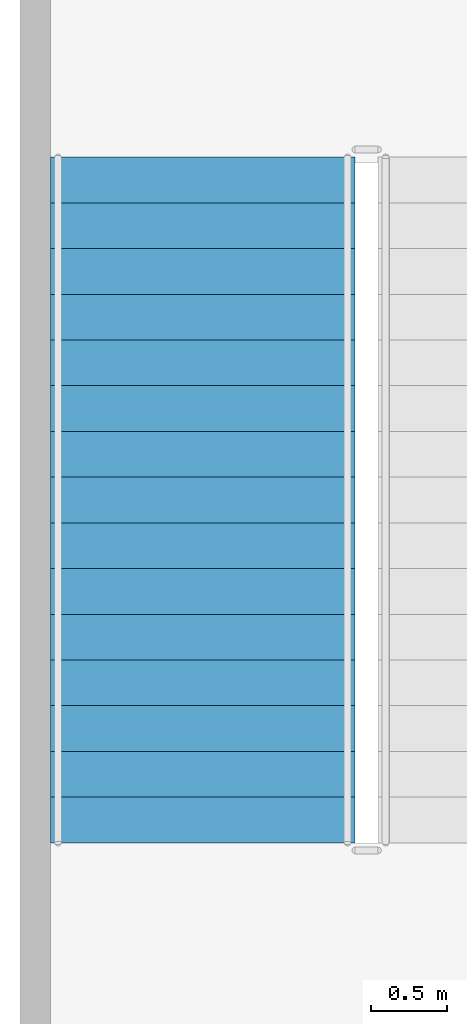
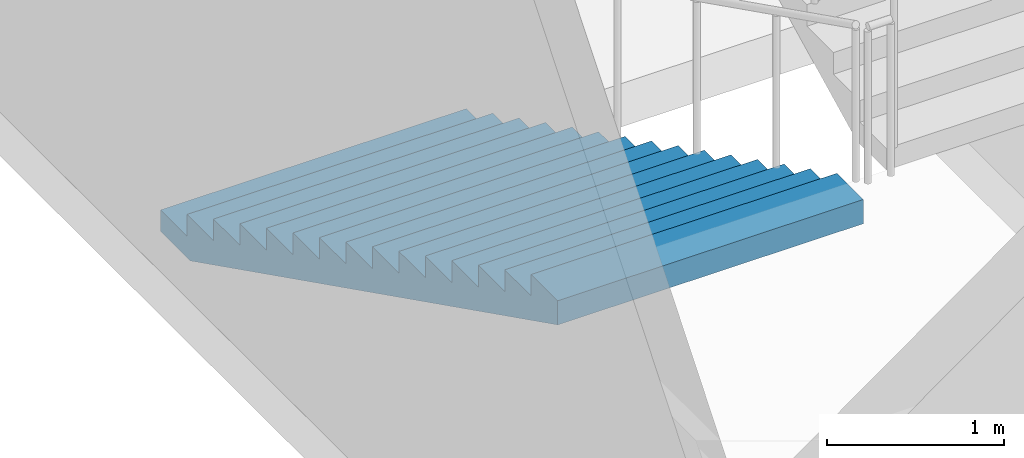
# One storey, part 78 of 100: 1 stair flight, 1 element without a shape of its own.
"""IFC4 building model written with IfcOpenShell, lengths in metres."""

from ifc_helpers import new_model, si_unit, direction, frame, origin, place, context, subcontext, project, spatial, faceted_brep, material, type_object, element, aggregate, save


model = new_model("IFC4")

# Units and contexts
model_context = context("Model", 3, precision=1e-05, world=origin(), true_north=direction((0.0, 1.0)))
body_context = subcontext(model_context, "Body", "Model", "MODEL_VIEW")
ifc_project = project(units=[si_unit("LENGTHUNIT", "METRE"), si_unit("AREAUNIT", "SQUARE_METRE"), si_unit("VOLUMEUNIT", "CUBIC_METRE"), si_unit("PLANEANGLEUNIT", "RADIAN"), si_unit("MASSUNIT", "GRAM", prefix="KILO")], contexts=[model_context])

# Site, building, storey
site_placement = place(None, origin())
site = spatial("IfcSite", under=ifc_project, at=site_placement, CompositionType="ELEMENT")
building_placement = place(site_placement, origin())
building = spatial("IfcBuilding", under=site, at=building_placement, Name="Kiln Court Media Centre", CompositionType="ELEMENT")
storey_placement = place(building_placement, frame((0.0, 0.0, 15.0)))
storey = spatial("IfcBuildingStorey", under=building, at=storey_placement, Name="L03", CompositionType="ELEMENT", Elevation=15.0)

# Stair, stair flight
ifc_material_1 = material(Name="Concrete C40/50", Category="concrete")
stair_type = type_object("IfcStairType", Name="Concrete C40/50 dog-leg stair 2000 wide, 150 riser", PredefinedType="HALF_TURN_STAIR", material=ifc_material_1)
stair_placement = place(storey_placement, origin())
stair = element("IfcStair", 1, at=stair_placement, inside=storey, type_object=stair_type, Name="ST-07 L03", PredefinedType="HALF_TURN_STAIR")
ifc_material_2 = material(Name="Concrete C40/50", Category="concrete")
stair_flight_type = type_object("IfcStairFlightType", Name="Concrete C40/50 stair flight 2000 wide, 150 riser, 300 going", PredefinedType="STRAIGHT", material=ifc_material_2)
stair_flight_placement = place(storey_placement, frame((1.199951171875, 64.39990234375, 0.0), z_axis=(0.0, 0.0, 1.0), x_axis=(0.0, -1.0, 0.0)))
stair_flight = element("IfcStairFlight", 2, at=stair_flight_placement, type_object=stair_flight_type, Name="L03-ST-5005 flight 5010", NumberOfRisers=16, NumberOfTreads=15, PredefinedType="STRAIGHT", RiserHeight=0.15, TreadLength=0.3, context=body_context, shape_type="Brep", body=[
    faceted_brep([(0.335205078125, -1.0, 0.0), (4.5, -1.0, 2.08251953125), (4.5, -1.0, 2.25), (4.199951171875, -1.0, 2.25), (4.199951171875, -1.0, 2.10009765625), (3.89990234375, -1.0, 2.10009765625), (3.89990234375, -1.0, 1.949951171875), (3.60009765625, -1.0, 1.949951171875), (3.60009765625, -1.0, 1.800048828125), (3.300048828125, -1.0, 1.800048828125), (3.300048828125, -1.0, 1.64990234375), (3.0, -1.0, 1.64990234375), (3.0, -1.0, 1.5), (2.699951171875, -1.0, 1.5), (2.699951171875, -1.0, 1.35009765625), (2.39990234375, -1.0, 1.35009765625), (2.39990234375, -1.0, 1.199951171875), (2.10009765625, -1.0, 1.199951171875), (2.10009765625, -1.0, 1.050048828125), (1.800048828125, -1.0, 1.050048828125), (1.800048828125, -1.0, 0.89990234375), (1.5, -1.0, 0.89990234375), (1.5, -1.0, 0.75), (1.199951171875, -1.0, 0.75), (1.199951171875, -1.0, 0.60009765625), (0.89990234375, -1.0, 0.60009765625), (0.89990234375, -1.0, 0.449951171875), (0.60009765625, -1.0, 0.449951171875), (0.60009765625, -1.0, 0.300048828125), (0.300048828125, -1.0, 0.300048828125), (0.300048828125, -1.0, 0.14990234375), (0.0, -1.0, 0.14990234375), (0.0, -1.0, 0.0), (0.0, 1.0, 0.0), (0.0, 1.0, 0.14990234375), (0.300048828125, 1.0, 0.14990234375), (0.300048828125, 1.0, 0.300048828125), (0.60009765625, 1.0, 0.300048828125), (0.60009765625, 1.0, 0.449951171875), (0.89990234375, 1.0, 0.449951171875), (0.89990234375, 1.0, 0.60009765625), (1.199951171875, 1.0, 0.60009765625), (1.199951171875, 1.0, 0.75), (1.5, 1.0, 0.75), (1.5, 1.0, 0.89990234375), (1.800048828125, 1.0, 0.89990234375), (1.800048828125, 1.0, 1.050048828125), (2.10009765625, 1.0, 1.050048828125), (2.10009765625, 1.0, 1.199951171875), (2.39990234375, 1.0, 1.199951171875), (2.39990234375, 1.0, 1.35009765625), (2.699951171875, 1.0, 1.35009765625), (2.699951171875, 1.0, 1.5), (3.0, 1.0, 1.5), (3.0, 1.0, 1.64990234375), (3.300048828125, 1.0, 1.64990234375), (3.300048828125, 1.0, 1.800048828125), (3.60009765625, 1.0, 1.800048828125), (3.60009765625, 1.0, 1.949951171875), (3.89990234375, 1.0, 1.949951171875), (3.89990234375, 1.0, 2.10009765625), (4.199951171875, 1.0, 2.10009765625), (4.199951171875, 1.0, 2.25), (4.5, 1.0, 2.25), (4.5, 1.0, 2.08251953125), (0.335205078125, 1.0, 0.0), (4.5, 0.10009765625, 2.08251953125), (0.335205078125, 0.10009765625, 0.0), (4.5, 0.080078125, 2.08251953125), (0.335205078125, 0.080078125, 0.0), (4.5, 0.06005859375, 2.08251953125), (0.335205078125, 0.06005859375, 0.0), (4.5, 0.0400390625, 2.08251953125), (0.335205078125, 0.0400390625, 0.0), (4.5, 0.02001953125, 2.08251953125), (0.335205078125, 0.02001953125, 0.0), (4.5, 0.0, 2.08251953125), (0.335205078125, 0.0, 0.0), (4.5, -0.02001953125, 2.08251953125), (0.335205078125, -0.02001953125, 0.0), (4.5, -0.0400390625, 2.08251953125), (0.335205078125, -0.0400390625, 0.0), (4.5, -0.06005859375, 2.08251953125), (0.335205078125, -0.06005859375, 0.0), (4.5, -0.080078125, 2.08251953125), (0.335205078125, -0.080078125, 0.0), (4.5, -0.10009765625, 2.08251953125), (0.335205078125, -0.10009765625, 0.0), (4.5, 0.10009765625, 2.25), (4.5, 0.080078125, 2.25), (4.5, 0.06005859375, 2.25), (4.5, 0.0400390625, 2.25), (4.5, 0.02001953125, 2.25), (4.5, 0.0, 2.25), (4.5, -0.02001953125, 2.25), (4.5, -0.0400390625, 2.25), (4.5, -0.06005859375, 2.25), (4.5, -0.080078125, 2.25), (4.5, -0.10009765625, 2.25), (4.199951171875, 0.10009765625, 2.25), (4.199951171875, 0.080078125, 2.25), (4.199951171875, 0.06005859375, 2.25), (4.199951171875, 0.0400390625, 2.25), (4.199951171875, 0.02001953125, 2.25), (4.199951171875, 0.0, 2.25), (4.199951171875, -0.02001953125, 2.25), (4.199951171875, -0.0400390625, 2.25), (4.199951171875, -0.06005859375, 2.25), (4.199951171875, -0.080078125, 2.25), (4.199951171875, -0.10009765625, 2.25), (4.199951171875, 0.10009765625, 2.10009765625), (4.199951171875, 0.080078125, 2.10009765625), (4.199951171875, 0.06005859375, 2.10009765625), (4.199951171875, 0.0400390625, 2.10009765625), (4.199951171875, 0.02001953125, 2.10009765625), (4.199951171875, 0.0, 2.10009765625), (4.199951171875, -0.02001953125, 2.10009765625), (4.199951171875, -0.0400390625, 2.10009765625), (4.199951171875, -0.06005859375, 2.10009765625), (4.199951171875, -0.080078125, 2.10009765625), (4.199951171875, -0.10009765625, 2.10009765625), (3.89990234375, 0.10009765625, 2.10009765625), (3.89990234375, 0.080078125, 2.10009765625), (3.89990234375, 0.06005859375, 2.10009765625), (3.89990234375, 0.0400390625, 2.10009765625), (3.89990234375, 0.02001953125, 2.10009765625), (3.89990234375, 0.0, 2.10009765625), (3.89990234375, -0.02001953125, 2.10009765625), (3.89990234375, -0.0400390625, 2.10009765625), (3.89990234375, -0.06005859375, 2.10009765625), (3.89990234375, -0.080078125, 2.10009765625), (3.89990234375, -0.10009765625, 2.10009765625), (3.89990234375, 0.10009765625, 1.949951171875), (3.89990234375, 0.080078125, 1.949951171875), (3.89990234375, 0.06005859375, 1.949951171875), (3.89990234375, 0.0400390625, 1.949951171875), (3.89990234375, 0.02001953125, 1.949951171875), (3.89990234375, 0.0, 1.949951171875), (3.89990234375, -0.02001953125, 1.949951171875), (3.89990234375, -0.0400390625, 1.949951171875), (3.89990234375, -0.06005859375, 1.949951171875), (3.89990234375, -0.080078125, 1.949951171875), (3.89990234375, -0.10009765625, 1.949951171875), (3.60009765625, 0.10009765625, 1.949951171875), (3.60009765625, 0.080078125, 1.949951171875), (3.60009765625, 0.06005859375, 1.949951171875), (3.60009765625, 0.0400390625, 1.949951171875), (3.60009765625, 0.02001953125, 1.949951171875), (3.60009765625, 0.0, 1.949951171875), (3.60009765625, -0.02001953125, 1.949951171875), (3.60009765625, -0.0400390625, 1.949951171875), (3.60009765625, -0.06005859375, 1.949951171875), (3.60009765625, -0.080078125, 1.949951171875), (3.60009765625, -0.10009765625, 1.949951171875), (3.60009765625, 0.10009765625, 1.800048828125), (3.60009765625, 0.080078125, 1.800048828125), (3.60009765625, 0.06005859375, 1.800048828125), (3.60009765625, 0.0400390625, 1.800048828125), (3.60009765625, 0.02001953125, 1.800048828125), (3.60009765625, 0.0, 1.800048828125), (3.60009765625, -0.02001953125, 1.800048828125), (3.60009765625, -0.0400390625, 1.800048828125), (3.60009765625, -0.06005859375, 1.800048828125), (3.60009765625, -0.080078125, 1.800048828125), (3.60009765625, -0.10009765625, 1.800048828125), (3.300048828125, 0.10009765625, 1.800048828125), (3.300048828125, 0.080078125, 1.800048828125), (3.300048828125, 0.06005859375, 1.800048828125), (3.300048828125, 0.0400390625, 1.800048828125), (3.300048828125, 0.02001953125, 1.800048828125), (3.300048828125, 0.0, 1.800048828125), (3.300048828125, -0.02001953125, 1.800048828125), (3.300048828125, -0.0400390625, 1.800048828125), (3.300048828125, -0.06005859375, 1.800048828125), (3.300048828125, -0.080078125, 1.800048828125), (3.300048828125, -0.10009765625, 1.800048828125), (3.300048828125, 0.10009765625, 1.64990234375), (3.300048828125, 0.080078125, 1.64990234375), (3.300048828125, 0.06005859375, 1.64990234375), (3.300048828125, 0.0400390625, 1.64990234375), (3.300048828125, 0.02001953125, 1.64990234375), (3.300048828125, 0.0, 1.64990234375), (3.300048828125, -0.02001953125, 1.64990234375), (3.300048828125, -0.0400390625, 1.64990234375), (3.300048828125, -0.06005859375, 1.64990234375), (3.300048828125, -0.080078125, 1.64990234375), (3.300048828125, -0.10009765625, 1.64990234375), (3.0, 0.10009765625, 1.64990234375), (3.0, 0.080078125, 1.64990234375), (3.0, 0.06005859375, 1.64990234375), (3.0, 0.0400390625, 1.64990234375), (3.0, 0.02001953125, 1.64990234375), (3.0, 0.0, 1.64990234375), (3.0, -0.02001953125, 1.64990234375), (3.0, -0.0400390625, 1.64990234375), (3.0, -0.06005859375, 1.64990234375), (3.0, -0.080078125, 1.64990234375), (3.0, -0.10009765625, 1.64990234375), (3.0, 0.10009765625, 1.5), (3.0, 0.080078125, 1.5), (3.0, 0.06005859375, 1.5), (3.0, 0.0400390625, 1.5), (3.0, 0.02001953125, 1.5), (3.0, 0.0, 1.5), (3.0, -0.02001953125, 1.5), (3.0, -0.0400390625, 1.5), (3.0, -0.06005859375, 1.5), (3.0, -0.080078125, 1.5), (3.0, -0.10009765625, 1.5), (2.699951171875, 0.10009765625, 1.5), (2.699951171875, 0.080078125, 1.5), (2.699951171875, 0.06005859375, 1.5), (2.699951171875, 0.0400390625, 1.5), (2.699951171875, 0.02001953125, 1.5), (2.699951171875, 0.0, 1.5), (2.699951171875, -0.02001953125, 1.5), (2.699951171875, -0.0400390625, 1.5), (2.699951171875, -0.06005859375, 1.5), (2.699951171875, -0.080078125, 1.5), (2.699951171875, -0.10009765625, 1.5), (2.699951171875, 0.10009765625, 1.35009765625), (2.699951171875, 0.080078125, 1.35009765625), (2.699951171875, 0.06005859375, 1.35009765625), (2.699951171875, 0.0400390625, 1.35009765625), (2.699951171875, 0.02001953125, 1.35009765625), (2.699951171875, 0.0, 1.35009765625), (2.699951171875, -0.02001953125, 1.35009765625), (2.699951171875, -0.0400390625, 1.35009765625), (2.699951171875, -0.06005859375, 1.35009765625), (2.699951171875, -0.080078125, 1.35009765625), (2.699951171875, -0.10009765625, 1.35009765625), (2.39990234375, 0.10009765625, 1.35009765625), (2.39990234375, 0.080078125, 1.35009765625), (2.39990234375, 0.06005859375, 1.35009765625), (2.39990234375, 0.0400390625, 1.35009765625), (2.39990234375, 0.02001953125, 1.35009765625), (2.39990234375, 0.0, 1.35009765625), (2.39990234375, -0.02001953125, 1.35009765625), (2.39990234375, -0.0400390625, 1.35009765625), (2.39990234375, -0.06005859375, 1.35009765625), (2.39990234375, -0.080078125, 1.35009765625), (2.39990234375, -0.10009765625, 1.35009765625), (2.39990234375, 0.10009765625, 1.199951171875), (2.39990234375, 0.080078125, 1.199951171875), (2.39990234375, 0.06005859375, 1.199951171875), (2.39990234375, 0.0400390625, 1.199951171875), (2.39990234375, 0.02001953125, 1.199951171875), (2.39990234375, 0.0, 1.199951171875), (2.39990234375, -0.02001953125, 1.199951171875), (2.39990234375, -0.0400390625, 1.199951171875), (2.39990234375, -0.06005859375, 1.199951171875), (2.39990234375, -0.080078125, 1.199951171875), (2.39990234375, -0.10009765625, 1.199951171875), (2.10009765625, 0.10009765625, 1.199951171875), (2.10009765625, 0.080078125, 1.199951171875), (2.10009765625, 0.06005859375, 1.199951171875), (2.10009765625, 0.0400390625, 1.199951171875), (2.10009765625, 0.02001953125, 1.199951171875), (2.10009765625, 0.0, 1.199951171875), (2.10009765625, -0.02001953125, 1.199951171875), (2.10009765625, -0.0400390625, 1.199951171875), (2.10009765625, -0.06005859375, 1.199951171875), (2.10009765625, -0.080078125, 1.199951171875), (2.10009765625, -0.10009765625, 1.199951171875), (2.10009765625, 0.10009765625, 1.050048828125), (2.10009765625, 0.080078125, 1.050048828125), (2.10009765625, 0.06005859375, 1.050048828125), (2.10009765625, 0.0400390625, 1.050048828125), (2.10009765625, 0.02001953125, 1.050048828125), (2.10009765625, 0.0, 1.050048828125), (2.10009765625, -0.02001953125, 1.050048828125), (2.10009765625, -0.0400390625, 1.050048828125), (2.10009765625, -0.06005859375, 1.050048828125), (2.10009765625, -0.080078125, 1.050048828125), (2.10009765625, -0.10009765625, 1.050048828125), (1.800048828125, 0.10009765625, 1.050048828125), (1.800048828125, 0.080078125, 1.050048828125), (1.800048828125, 0.06005859375, 1.050048828125), (1.800048828125, 0.0400390625, 1.050048828125), (1.800048828125, 0.02001953125, 1.050048828125), (1.800048828125, 0.0, 1.050048828125), (1.800048828125, -0.02001953125, 1.050048828125), (1.800048828125, -0.0400390625, 1.050048828125), (1.800048828125, -0.06005859375, 1.050048828125), (1.800048828125, -0.080078125, 1.050048828125), (1.800048828125, -0.10009765625, 1.050048828125), (1.800048828125, 0.10009765625, 0.89990234375), (1.800048828125, 0.080078125, 0.89990234375), (1.800048828125, 0.06005859375, 0.89990234375), (1.800048828125, 0.0400390625, 0.89990234375), (1.800048828125, 0.02001953125, 0.89990234375), (1.800048828125, 0.0, 0.89990234375), (1.800048828125, -0.02001953125, 0.89990234375), (1.800048828125, -0.0400390625, 0.89990234375), (1.800048828125, -0.06005859375, 0.89990234375), (1.800048828125, -0.080078125, 0.89990234375), (1.800048828125, -0.10009765625, 0.89990234375), (1.5, 0.10009765625, 0.89990234375), (1.5, 0.080078125, 0.89990234375), (1.5, 0.06005859375, 0.89990234375), (1.5, 0.0400390625, 0.89990234375), (1.5, 0.02001953125, 0.89990234375), (1.5, 0.0, 0.89990234375), (1.5, -0.02001953125, 0.89990234375), (1.5, -0.0400390625, 0.89990234375), (1.5, -0.06005859375, 0.89990234375), (1.5, -0.080078125, 0.89990234375), (1.5, -0.10009765625, 0.89990234375), (1.5, 0.10009765625, 0.75), (1.5, 0.080078125, 0.75), (1.5, 0.06005859375, 0.75), (1.5, 0.0400390625, 0.75), (1.5, 0.02001953125, 0.75), (1.5, 0.0, 0.75), (1.5, -0.02001953125, 0.75), (1.5, -0.0400390625, 0.75), (1.5, -0.06005859375, 0.75), (1.5, -0.080078125, 0.75), (1.5, -0.10009765625, 0.75), (1.199951171875, 0.10009765625, 0.75), (1.199951171875, 0.080078125, 0.75), (1.199951171875, 0.06005859375, 0.75), (1.199951171875, 0.0400390625, 0.75), (1.199951171875, 0.02001953125, 0.75), (1.199951171875, 0.0, 0.75), (1.199951171875, -0.02001953125, 0.75), (1.199951171875, -0.0400390625, 0.75), (1.199951171875, -0.06005859375, 0.75), (1.199951171875, -0.080078125, 0.75), (1.199951171875, -0.10009765625, 0.75), (1.199951171875, 0.10009765625, 0.60009765625), (1.199951171875, 0.080078125, 0.60009765625), (1.199951171875, 0.06005859375, 0.60009765625), (1.199951171875, 0.0400390625, 0.60009765625), (1.199951171875, 0.02001953125, 0.60009765625), (1.199951171875, 0.0, 0.60009765625), (1.199951171875, -0.02001953125, 0.60009765625), (1.199951171875, -0.0400390625, 0.60009765625), (1.199951171875, -0.06005859375, 0.60009765625), (1.199951171875, -0.080078125, 0.60009765625), (1.199951171875, -0.10009765625, 0.60009765625), (0.89990234375, 0.10009765625, 0.60009765625), (0.89990234375, 0.080078125, 0.60009765625), (0.89990234375, 0.06005859375, 0.60009765625), (0.89990234375, 0.0400390625, 0.60009765625), (0.89990234375, 0.02001953125, 0.60009765625), (0.89990234375, 0.0, 0.60009765625), (0.89990234375, -0.02001953125, 0.60009765625), (0.89990234375, -0.0400390625, 0.60009765625), (0.89990234375, -0.06005859375, 0.60009765625), (0.89990234375, -0.080078125, 0.60009765625), (0.89990234375, -0.10009765625, 0.60009765625), (0.89990234375, 0.10009765625, 0.449951171875), (0.89990234375, 0.080078125, 0.449951171875), (0.89990234375, 0.06005859375, 0.449951171875), (0.89990234375, 0.0400390625, 0.449951171875), (0.89990234375, 0.02001953125, 0.449951171875), (0.89990234375, 0.0, 0.449951171875), (0.89990234375, -0.02001953125, 0.449951171875), (0.89990234375, -0.0400390625, 0.449951171875), (0.89990234375, -0.06005859375, 0.449951171875), (0.89990234375, -0.080078125, 0.449951171875), (0.89990234375, -0.10009765625, 0.449951171875), (0.60009765625, 0.10009765625, 0.449951171875), (0.60009765625, 0.080078125, 0.449951171875), (0.60009765625, 0.06005859375, 0.449951171875), (0.60009765625, 0.0400390625, 0.449951171875), (0.60009765625, 0.02001953125, 0.449951171875), (0.60009765625, 0.0, 0.449951171875), (0.60009765625, -0.02001953125, 0.449951171875), (0.60009765625, -0.0400390625, 0.449951171875), (0.60009765625, -0.06005859375, 0.449951171875), (0.60009765625, -0.080078125, 0.449951171875), (0.60009765625, -0.10009765625, 0.449951171875), (0.60009765625, 0.10009765625, 0.300048828125), (0.60009765625, 0.080078125, 0.300048828125), (0.60009765625, 0.06005859375, 0.300048828125), (0.60009765625, 0.0400390625, 0.300048828125), (0.60009765625, 0.02001953125, 0.300048828125), (0.60009765625, 0.0, 0.300048828125), (0.60009765625, -0.02001953125, 0.300048828125), (0.60009765625, -0.0400390625, 0.300048828125), (0.60009765625, -0.06005859375, 0.300048828125), (0.60009765625, -0.080078125, 0.300048828125), (0.60009765625, -0.10009765625, 0.300048828125), (0.300048828125, 0.10009765625, 0.300048828125), (0.300048828125, 0.080078125, 0.300048828125), (0.300048828125, 0.06005859375, 0.300048828125), (0.300048828125, 0.0400390625, 0.300048828125), (0.300048828125, 0.02001953125, 0.300048828125), (0.300048828125, 0.0, 0.300048828125), (0.300048828125, -0.02001953125, 0.300048828125), (0.300048828125, -0.0400390625, 0.300048828125), (0.300048828125, -0.06005859375, 0.300048828125), (0.300048828125, -0.080078125, 0.300048828125), (0.300048828125, -0.10009765625, 0.300048828125), (0.300048828125, 0.10009765625, 0.14990234375), (0.300048828125, 0.080078125, 0.14990234375), (0.300048828125, 0.06005859375, 0.14990234375), (0.300048828125, 0.0400390625, 0.14990234375), (0.300048828125, 0.02001953125, 0.14990234375), (0.300048828125, 0.0, 0.14990234375), (0.300048828125, -0.02001953125, 0.14990234375), (0.300048828125, -0.0400390625, 0.14990234375), (0.300048828125, -0.06005859375, 0.14990234375), (0.300048828125, -0.080078125, 0.14990234375), (0.300048828125, -0.10009765625, 0.14990234375), (0.0, 0.10009765625, 0.14990234375), (0.0, 0.080078125, 0.14990234375), (0.0, 0.06005859375, 0.14990234375), (0.0, 0.0400390625, 0.14990234375), (0.0, 0.02001953125, 0.14990234375), (0.0, 0.0, 0.14990234375), (0.0, -0.02001953125, 0.14990234375), (0.0, -0.0400390625, 0.14990234375), (0.0, -0.06005859375, 0.14990234375), (0.0, -0.080078125, 0.14990234375), (0.0, -0.10009765625, 0.14990234375), (0.0, 0.10009765625, 0.0), (0.0, 0.080078125, 0.0), (0.0, 0.06005859375, 0.0), (0.0, 0.0400390625, 0.0), (0.0, 0.02001953125, 0.0), (0.0, 0.0, 0.0), (0.0, -0.02001953125, 0.0), (0.0, -0.0400390625, 0.0), (0.0, -0.06005859375, 0.0), (0.0, -0.080078125, 0.0), (0.0, -0.10009765625, 0.0)], [[[0, 1, 2, 3, 4, 5, 6, 7, 8, 9, 10, 11, 12, 13, 14, 15, 16, 17, 18, 19, 20, 21, 22, 23, 24, 25, 26, 27, 28, 29, 30, 31, 32]], [[33, 34, 35, 36, 37, 38, 39, 40, 41, 42, 43, 44, 45, 46, 47, 48, 49, 50, 51, 52, 53, 54, 55, 56, 57, 58, 59, 60, 61, 62, 63, 64, 65]], [[65, 64, 66, 67]], [[67, 66, 68, 69]], [[69, 68, 70, 71]], [[71, 70, 72, 73]], [[73, 72, 74, 75]], [[75, 74, 76, 77]], [[77, 76, 78, 79]], [[79, 78, 80, 81]], [[81, 80, 82, 83]], [[83, 82, 84, 85]], [[85, 84, 86, 87]], [[87, 86, 1, 0]], [[64, 63, 88, 66]], [[66, 88, 89, 68]], [[68, 89, 90, 70]], [[70, 90, 91, 72]], [[72, 91, 92, 74]], [[74, 92, 93, 76]], [[76, 93, 94, 78]], [[78, 94, 95, 80]], [[80, 95, 96, 82]], [[82, 96, 97, 84]], [[84, 97, 98, 86]], [[86, 98, 2, 1]], [[63, 62, 99, 88]], [[88, 99, 100, 89]], [[89, 100, 101, 90]], [[90, 101, 102, 91]], [[91, 102, 103, 92]], [[92, 103, 104, 93]], [[93, 104, 105, 94]], [[94, 105, 106, 95]], [[95, 106, 107, 96]], [[96, 107, 108, 97]], [[97, 108, 109, 98]], [[98, 109, 3, 2]], [[62, 61, 110, 99]], [[99, 110, 111, 100]], [[100, 111, 112, 101]], [[101, 112, 113, 102]], [[102, 113, 114, 103]], [[103, 114, 115, 104]], [[104, 115, 116, 105]], [[105, 116, 117, 106]], [[106, 117, 118, 107]], [[107, 118, 119, 108]], [[108, 119, 120, 109]], [[109, 120, 4, 3]], [[61, 60, 121, 110]], [[110, 121, 122, 111]], [[111, 122, 123, 112]], [[112, 123, 124, 113]], [[113, 124, 125, 114]], [[114, 125, 126, 115]], [[115, 126, 127, 116]], [[116, 127, 128, 117]], [[117, 128, 129, 118]], [[118, 129, 130, 119]], [[119, 130, 131, 120]], [[120, 131, 5, 4]], [[60, 59, 132, 121]], [[121, 132, 133, 122]], [[122, 133, 134, 123]], [[123, 134, 135, 124]], [[124, 135, 136, 125]], [[125, 136, 137, 126]], [[126, 137, 138, 127]], [[127, 138, 139, 128]], [[128, 139, 140, 129]], [[129, 140, 141, 130]], [[130, 141, 142, 131]], [[131, 142, 6, 5]], [[59, 58, 143, 132]], [[132, 143, 144, 133]], [[133, 144, 145, 134]], [[134, 145, 146, 135]], [[135, 146, 147, 136]], [[136, 147, 148, 137]], [[137, 148, 149, 138]], [[138, 149, 150, 139]], [[139, 150, 151, 140]], [[140, 151, 152, 141]], [[141, 152, 153, 142]], [[142, 153, 7, 6]], [[58, 57, 154, 143]], [[143, 154, 155, 144]], [[144, 155, 156, 145]], [[145, 156, 157, 146]], [[146, 157, 158, 147]], [[147, 158, 159, 148]], [[148, 159, 160, 149]], [[149, 160, 161, 150]], [[150, 161, 162, 151]], [[151, 162, 163, 152]], [[152, 163, 164, 153]], [[153, 164, 8, 7]], [[57, 56, 165, 154]], [[154, 165, 166, 155]], [[155, 166, 167, 156]], [[156, 167, 168, 157]], [[157, 168, 169, 158]], [[158, 169, 170, 159]], [[159, 170, 171, 160]], [[160, 171, 172, 161]], [[161, 172, 173, 162]], [[162, 173, 174, 163]], [[163, 174, 175, 164]], [[164, 175, 9, 8]], [[56, 55, 176, 165]], [[165, 176, 177, 166]], [[166, 177, 178, 167]], [[167, 178, 179, 168]], [[168, 179, 180, 169]], [[169, 180, 181, 170]], [[170, 181, 182, 171]], [[171, 182, 183, 172]], [[172, 183, 184, 173]], [[173, 184, 185, 174]], [[174, 185, 186, 175]], [[175, 186, 10, 9]], [[55, 54, 187, 176]], [[176, 187, 188, 177]], [[177, 188, 189, 178]], [[178, 189, 190, 179]], [[179, 190, 191, 180]], [[180, 191, 192, 181]], [[181, 192, 193, 182]], [[182, 193, 194, 183]], [[183, 194, 195, 184]], [[184, 195, 196, 185]], [[185, 196, 197, 186]], [[186, 197, 11, 10]], [[54, 53, 198, 187]], [[187, 198, 199, 188]], [[188, 199, 200, 189]], [[189, 200, 201, 190]], [[190, 201, 202, 191]], [[191, 202, 203, 192]], [[192, 203, 204, 193]], [[193, 204, 205, 194]], [[194, 205, 206, 195]], [[195, 206, 207, 196]], [[196, 207, 208, 197]], [[197, 208, 12, 11]], [[53, 52, 209, 198]], [[198, 209, 210, 199]], [[199, 210, 211, 200]], [[200, 211, 212, 201]], [[201, 212, 213, 202]], [[202, 213, 214, 203]], [[203, 214, 215, 204]], [[204, 215, 216, 205]], [[205, 216, 217, 206]], [[206, 217, 218, 207]], [[207, 218, 219, 208]], [[208, 219, 13, 12]], [[52, 51, 220, 209]], [[209, 220, 221, 210]], [[210, 221, 222, 211]], [[211, 222, 223, 212]], [[212, 223, 224, 213]], [[213, 224, 225, 214]], [[214, 225, 226, 215]], [[215, 226, 227, 216]], [[216, 227, 228, 217]], [[217, 228, 229, 218]], [[218, 229, 230, 219]], [[219, 230, 14, 13]], [[51, 50, 231, 220]], [[220, 231, 232, 221]], [[221, 232, 233, 222]], [[222, 233, 234, 223]], [[223, 234, 235, 224]], [[224, 235, 236, 225]], [[225, 236, 237, 226]], [[226, 237, 238, 227]], [[227, 238, 239, 228]], [[228, 239, 240, 229]], [[229, 240, 241, 230]], [[230, 241, 15, 14]], [[50, 49, 242, 231]], [[231, 242, 243, 232]], [[232, 243, 244, 233]], [[233, 244, 245, 234]], [[234, 245, 246, 235]], [[235, 246, 247, 236]], [[236, 247, 248, 237]], [[237, 248, 249, 238]], [[238, 249, 250, 239]], [[239, 250, 251, 240]], [[240, 251, 252, 241]], [[241, 252, 16, 15]], [[49, 48, 253, 242]], [[242, 253, 254, 243]], [[243, 254, 255, 244]], [[244, 255, 256, 245]], [[245, 256, 257, 246]], [[246, 257, 258, 247]], [[247, 258, 259, 248]], [[248, 259, 260, 249]], [[249, 260, 261, 250]], [[250, 261, 262, 251]], [[251, 262, 263, 252]], [[252, 263, 17, 16]], [[48, 47, 264, 253]], [[253, 264, 265, 254]], [[254, 265, 266, 255]], [[255, 266, 267, 256]], [[256, 267, 268, 257]], [[257, 268, 269, 258]], [[258, 269, 270, 259]], [[259, 270, 271, 260]], [[260, 271, 272, 261]], [[261, 272, 273, 262]], [[262, 273, 274, 263]], [[263, 274, 18, 17]], [[47, 46, 275, 264]], [[264, 275, 276, 265]], [[265, 276, 277, 266]], [[266, 277, 278, 267]], [[267, 278, 279, 268]], [[268, 279, 280, 269]], [[269, 280, 281, 270]], [[270, 281, 282, 271]], [[271, 282, 283, 272]], [[272, 283, 284, 273]], [[273, 284, 285, 274]], [[274, 285, 19, 18]], [[46, 45, 286, 275]], [[275, 286, 287, 276]], [[276, 287, 288, 277]], [[277, 288, 289, 278]], [[278, 289, 290, 279]], [[279, 290, 291, 280]], [[280, 291, 292, 281]], [[281, 292, 293, 282]], [[282, 293, 294, 283]], [[283, 294, 295, 284]], [[284, 295, 296, 285]], [[285, 296, 20, 19]], [[45, 44, 297, 286]], [[286, 297, 298, 287]], [[287, 298, 299, 288]], [[288, 299, 300, 289]], [[289, 300, 301, 290]], [[290, 301, 302, 291]], [[291, 302, 303, 292]], [[292, 303, 304, 293]], [[293, 304, 305, 294]], [[294, 305, 306, 295]], [[295, 306, 307, 296]], [[296, 307, 21, 20]], [[44, 43, 308, 297]], [[297, 308, 309, 298]], [[298, 309, 310, 299]], [[299, 310, 311, 300]], [[300, 311, 312, 301]], [[301, 312, 313, 302]], [[302, 313, 314, 303]], [[303, 314, 315, 304]], [[304, 315, 316, 305]], [[305, 316, 317, 306]], [[306, 317, 318, 307]], [[307, 318, 22, 21]], [[43, 42, 319, 308]], [[308, 319, 320, 309]], [[309, 320, 321, 310]], [[310, 321, 322, 311]], [[311, 322, 323, 312]], [[312, 323, 324, 313]], [[313, 324, 325, 314]], [[314, 325, 326, 315]], [[315, 326, 327, 316]], [[316, 327, 328, 317]], [[317, 328, 329, 318]], [[318, 329, 23, 22]], [[42, 41, 330, 319]], [[319, 330, 331, 320]], [[320, 331, 332, 321]], [[321, 332, 333, 322]], [[322, 333, 334, 323]], [[323, 334, 335, 324]], [[324, 335, 336, 325]], [[325, 336, 337, 326]], [[326, 337, 338, 327]], [[327, 338, 339, 328]], [[328, 339, 340, 329]], [[329, 340, 24, 23]], [[41, 40, 341, 330]], [[330, 341, 342, 331]], [[331, 342, 343, 332]], [[332, 343, 344, 333]], [[333, 344, 345, 334]], [[334, 345, 346, 335]], [[335, 346, 347, 336]], [[336, 347, 348, 337]], [[337, 348, 349, 338]], [[338, 349, 350, 339]], [[339, 350, 351, 340]], [[340, 351, 25, 24]], [[40, 39, 352, 341]], [[341, 352, 353, 342]], [[342, 353, 354, 343]], [[343, 354, 355, 344]], [[344, 355, 356, 345]], [[345, 356, 357, 346]], [[346, 357, 358, 347]], [[347, 358, 359, 348]], [[348, 359, 360, 349]], [[349, 360, 361, 350]], [[350, 361, 362, 351]], [[351, 362, 26, 25]], [[39, 38, 363, 352]], [[352, 363, 364, 353]], [[353, 364, 365, 354]], [[354, 365, 366, 355]], [[355, 366, 367, 356]], [[356, 367, 368, 357]], [[357, 368, 369, 358]], [[358, 369, 370, 359]], [[359, 370, 371, 360]], [[360, 371, 372, 361]], [[361, 372, 373, 362]], [[362, 373, 27, 26]], [[38, 37, 374, 363]], [[363, 374, 375, 364]], [[364, 375, 376, 365]], [[365, 376, 377, 366]], [[366, 377, 378, 367]], [[367, 378, 379, 368]], [[368, 379, 380, 369]], [[369, 380, 381, 370]], [[370, 381, 382, 371]], [[371, 382, 383, 372]], [[372, 383, 384, 373]], [[373, 384, 28, 27]], [[37, 36, 385, 374]], [[374, 385, 386, 375]], [[375, 386, 387, 376]], [[376, 387, 388, 377]], [[377, 388, 389, 378]], [[378, 389, 390, 379]], [[379, 390, 391, 380]], [[380, 391, 392, 381]], [[381, 392, 393, 382]], [[382, 393, 394, 383]], [[383, 394, 395, 384]], [[384, 395, 29, 28]], [[36, 35, 396, 385]], [[385, 396, 397, 386]], [[386, 397, 398, 387]], [[387, 398, 399, 388]], [[388, 399, 400, 389]], [[389, 400, 401, 390]], [[390, 401, 402, 391]], [[391, 402, 403, 392]], [[392, 403, 404, 393]], [[393, 404, 405, 394]], [[394, 405, 406, 395]], [[395, 406, 30, 29]], [[35, 34, 407, 396]], [[396, 407, 408, 397]], [[397, 408, 409, 398]], [[398, 409, 410, 399]], [[399, 410, 411, 400]], [[400, 411, 412, 401]], [[401, 412, 413, 402]], [[402, 413, 414, 403]], [[403, 414, 415, 404]], [[404, 415, 416, 405]], [[405, 416, 417, 406]], [[406, 417, 31, 30]], [[34, 33, 418, 407]], [[407, 418, 419, 408]], [[408, 419, 420, 409]], [[409, 420, 421, 410]], [[410, 421, 422, 411]], [[411, 422, 423, 412]], [[412, 423, 424, 413]], [[413, 424, 425, 414]], [[414, 425, 426, 415]], [[415, 426, 427, 416]], [[416, 427, 428, 417]], [[417, 428, 32, 31]], [[33, 65, 67, 418]], [[418, 67, 69, 419]], [[419, 69, 71, 420]], [[420, 71, 73, 421]], [[421, 73, 75, 422]], [[422, 75, 77, 423]], [[423, 77, 79, 424]], [[424, 79, 81, 425]], [[425, 81, 83, 426]], [[426, 83, 85, 427]], [[427, 85, 87, 428]], [[428, 87, 0, 32]]]),
])
aggregate(stair, [stair_flight])

save(model, "model.ifc")
